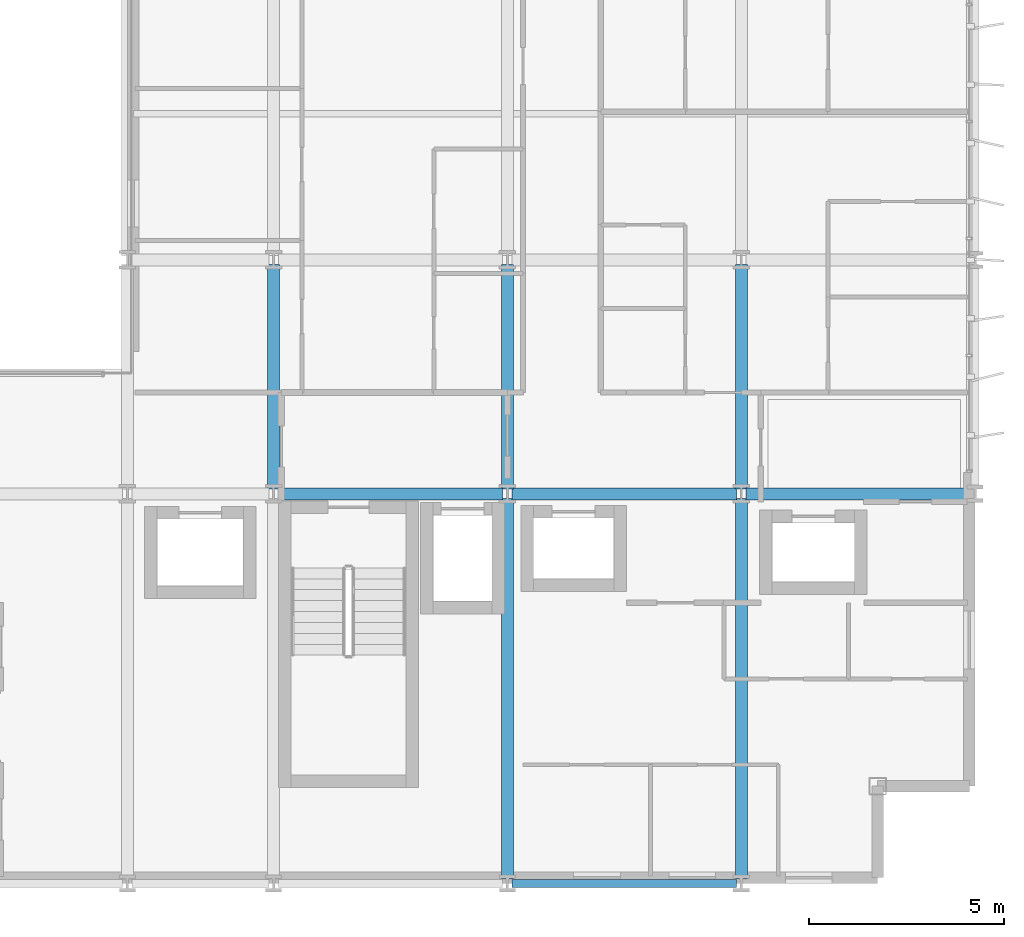
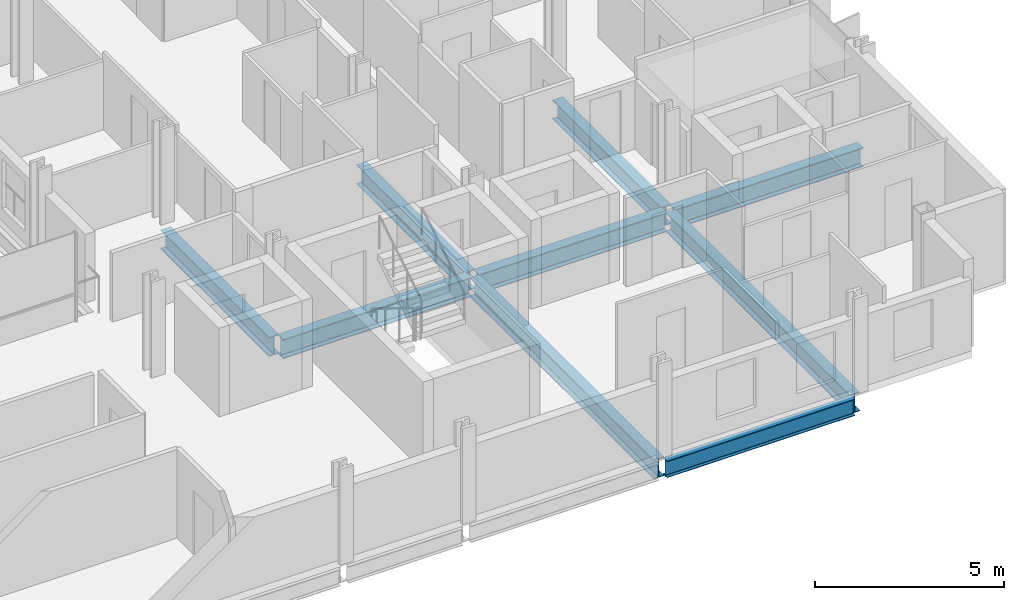
# One storey, part 14 of 39: 9 beams.
"""IFC4 building model written with IfcOpenShell, lengths in metres."""

from ifc_helpers import new_model, si_unit, direction, frame, origin, origin_2d, place, context, subcontext, project, spatial, i_section, extrude, material, material_profile, profile_set, type_object, element, save


model = new_model("IFC4")

# Units and contexts
model_context = context("Model", 3, precision=1e-05, world=origin(), true_north=direction((0.0, 1.0)))
body_context = subcontext(model_context, "Body", "Model", "MODEL_VIEW")
ifc_project = project(units=[si_unit("LENGTHUNIT", "METRE"), si_unit("AREAUNIT", "SQUARE_METRE"), si_unit("VOLUMEUNIT", "CUBIC_METRE"), si_unit("PLANEANGLEUNIT", "RADIAN"), si_unit("MASSUNIT", "GRAM", prefix="KILO")], contexts=[model_context])

# Site, building, storey
site_placement = place(None, origin())
site = spatial("IfcSite", under=ifc_project, at=site_placement, CompositionType="ELEMENT")
building_placement = place(site_placement, origin())
building = spatial("IfcBuilding", under=site, at=building_placement, Name="Brevholm Reach", CompositionType="ELEMENT")
storey_placement = place(building_placement, frame((0.0, 0.0, 40.39990234375)))
storey = spatial("IfcBuildingStorey", under=building, at=storey_placement, Name="L10", CompositionType="ELEMENT", Elevation=40.39990234375)

# Beams
ifc_material_1 = material(Name="Structural Steel S355J2", Category="steel")
ifc_material_profile_1 = material_profile(ifc_material_1, i_section(OverallWidth=0.210693359375, OverallDepth=0.53955078125, WebThickness=0.01171875, FlangeThickness=0.018798828125, FilletRadius=0.0126953125, at=origin_2d()), Name="UKB 533x210x109")
ifc_profile_set_1 = profile_set([ifc_material_profile_1], Name="Structural Steel S355J2")
beam_type_1 = type_object("IfcBeamType", Name="BM-SP539", PredefinedType="SPANDREL", material=ifc_profile_set_1)
beam_1_placement = place(storey_placement, frame((48.1201171875, 0.0, -0.499755859375), z_axis=(1.0, 0.0, 0.0), x_axis=(0.0, 1.0, 0.0)))
element("IfcBeam", 1, at=beam_1_placement, inside=storey, type_object=beam_type_1, Name="L10 SP-01B Framing Beam", PredefinedType="SPANDREL", context=body_context, shape_type="SweptSolid", body=[
    extrude(i_section(OverallWidth=0.210693359375, OverallDepth=0.53955078125, WebThickness=0.01171875, FlangeThickness=0.018798828125, FilletRadius=0.0126953125, at=origin_2d()), origin(), (0.0, 0.0, 1.0), 5.759765625),
])
ifc_material_2 = material(Name="Structural Steel S355J2", Category="steel")
ifc_material_profile_2 = material_profile(ifc_material_2, i_section(OverallWidth=0.30712890625, OverallDepth=0.6201171875, WebThickness=0.01416015625, FlangeThickness=0.023681640625, FilletRadius=0.0166015625, at=origin_2d()), Name="UKB 610x305x179")
ifc_profile_set_2 = profile_set([ifc_material_profile_2], Name="Structural Steel S355J2")
beam_type_2 = type_object("IfcBeamType", Name="BM-UKB610H", PredefinedType="USERDEFINED", material=ifc_profile_set_2)
for number, where, z_axis, x_axis, name in (
    (2, (42.1201171875, 10.0, -0.5400390625), (1.0, 0.0, 0.0), (0.0, 1.0, 0.0), "L10 G-06 Framing Beam"),
    (3, (48.1201171875, 10.0, -0.5400390625), (1.0, 0.0, 0.0), (0.0, 1.0, 0.0), "L10 G-06 Framing Beam"),
    (4, (54.1201171875, 10.0, -0.5400390625), (1.0, 0.0, 0.0), (0.0, 1.0, 0.0), "L10 G-06 Framing Beam"),
    (5, (42.0, 10.1201171875, -0.5400390625), (0.0, 1.0, 0.0), (-1.0, 0.0, 0.0), "L10 G-06 Framing Beam"),
):
    element("IfcBeam", number, at=place(storey_placement, frame(where, z_axis=z_axis, x_axis=x_axis)), inside=storey, type_object=beam_type_2, Name=name, ObjectType="GIRDER", PredefinedType="USERDEFINED", context=body_context, shape_type="SweptSolid", body=[
        extrude(i_section(OverallWidth=0.30712890625, OverallDepth=0.6201171875, WebThickness=0.01416015625, FlangeThickness=0.023681640625, FilletRadius=0.0166015625, at=origin_2d()), origin(), (0.0, 0.0, 1.0), 5.759765625),
    ])
beam_2_placement = place(storey_placement, frame((48.0, 0.1201171875, -0.5400390625), z_axis=(0.0, 1.0, 0.0), x_axis=(-1.0, 0.0, 0.0)))
element("IfcBeam", 6, at=beam_2_placement, inside=storey, type_object=beam_type_2, Name="L10 G-06 Framing Beam", ObjectType="GIRDER", PredefinedType="USERDEFINED", context=body_context, shape_type="SweptSolid", body=[
    extrude(i_section(OverallWidth=0.30712890625, OverallDepth=0.6201171875, WebThickness=0.01416015625, FlangeThickness=0.023681640625, FilletRadius=0.0166015625, at=origin_2d()), origin(), (0.0, 0.0, 1.0), 9.759765625),
])
beam_3_placement = place(storey_placement, frame((48.0, 10.1201171875, -0.5400390625), z_axis=(0.0, 1.0, 0.0), x_axis=(-1.0, 0.0, 0.0)))
element("IfcBeam", 7, at=beam_3_placement, inside=storey, type_object=beam_type_2, Name="L10 G-06 Framing Beam", ObjectType="GIRDER", PredefinedType="USERDEFINED", context=body_context, shape_type="SweptSolid", body=[
    extrude(i_section(OverallWidth=0.30712890625, OverallDepth=0.6201171875, WebThickness=0.01416015625, FlangeThickness=0.023681640625, FilletRadius=0.0166015625, at=origin_2d()), origin(), (0.0, 0.0, 1.0), 5.759765625),
])
beam_4_placement = place(storey_placement, frame((54.0, 0.1201171875, -0.5400390625), z_axis=(0.0, 1.0, 0.0), x_axis=(-1.0, 0.0, 0.0)))
element("IfcBeam", 8, at=beam_4_placement, inside=storey, type_object=beam_type_2, Name="L10 G-06 Framing Beam", ObjectType="GIRDER", PredefinedType="USERDEFINED", context=body_context, shape_type="SweptSolid", body=[
    extrude(i_section(OverallWidth=0.30712890625, OverallDepth=0.6201171875, WebThickness=0.01416015625, FlangeThickness=0.023681640625, FilletRadius=0.0166015625, at=origin_2d()), origin(), (0.0, 0.0, 1.0), 9.759765625),
])
beam_5_placement = place(storey_placement, frame((54.0, 10.1201171875, -0.5400390625), z_axis=(0.0, 1.0, 0.0), x_axis=(-1.0, 0.0, 0.0)))
element("IfcBeam", 9, at=beam_5_placement, inside=storey, type_object=beam_type_2, Name="L10 G-06 Framing Beam", ObjectType="GIRDER", PredefinedType="USERDEFINED", context=body_context, shape_type="SweptSolid", body=[
    extrude(i_section(OverallWidth=0.30712890625, OverallDepth=0.6201171875, WebThickness=0.01416015625, FlangeThickness=0.023681640625, FilletRadius=0.0166015625, at=origin_2d()), origin(), (0.0, 0.0, 1.0), 5.759765625),
])

save(model, "model.ifc")
